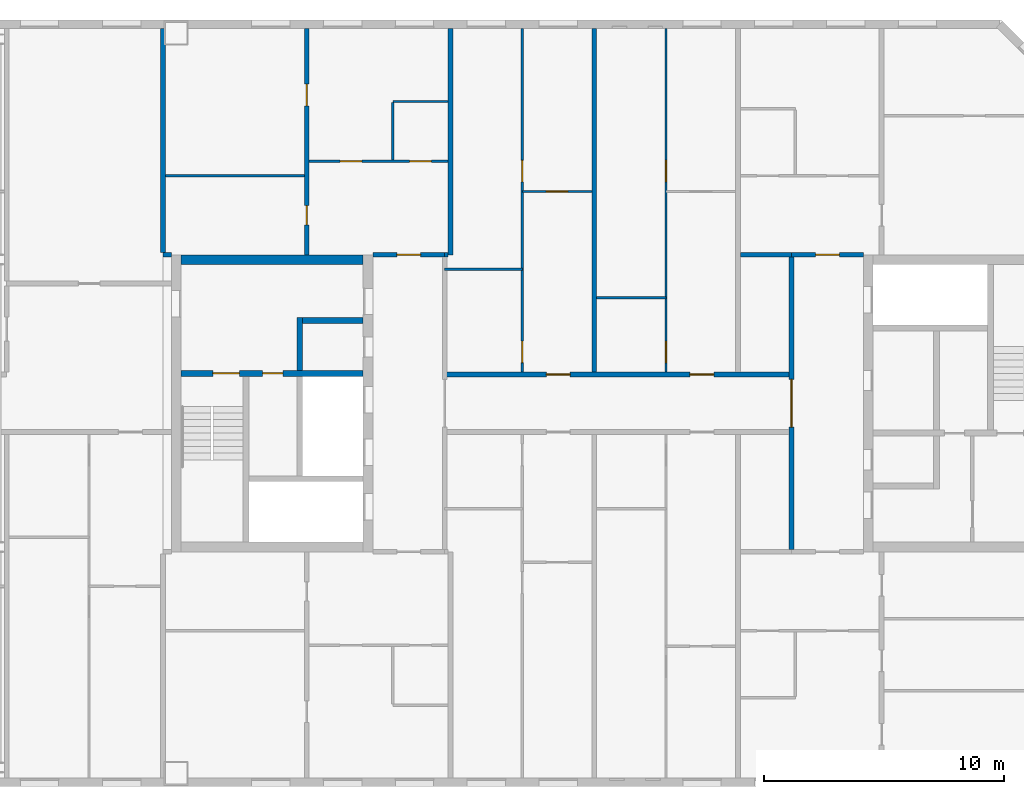
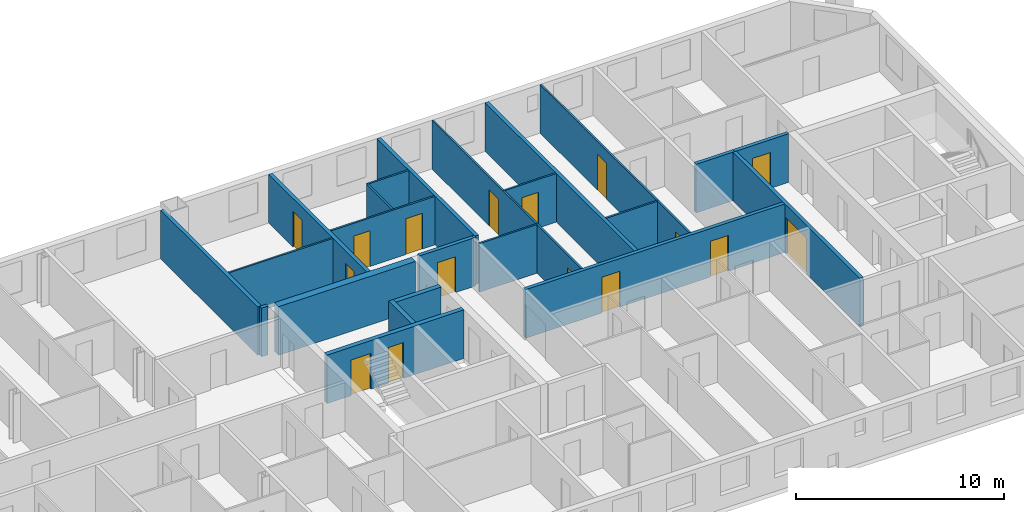
# One storey, part 15 of 19: 24 walls, 16 doors, 16 openings.
"""IFC4 building model written with IfcOpenShell, lengths in metres."""

from ifc_helpers import new_model, si_unit, direction, frame, frame_2d, origin, place, context, subcontext, project, spatial, rectangle, extrude, material, layer, layer_set, type_object, element, fill, save


model = new_model("IFC4")

# Units and contexts
model_context = context("Model", 3, precision=1e-05, world=origin(), true_north=direction((0.0, 1.0)))
body_context = subcontext(model_context, "Body", "Model", "MODEL_VIEW")
ifc_project = project(units=[si_unit("LENGTHUNIT", "METRE"), si_unit("AREAUNIT", "SQUARE_METRE"), si_unit("VOLUMEUNIT", "CUBIC_METRE"), si_unit("PLANEANGLEUNIT", "RADIAN"), si_unit("MASSUNIT", "GRAM", prefix="KILO")], contexts=[model_context])

# Site, building, storey
site_placement = place(None, origin())
site = spatial("IfcSite", under=ifc_project, at=site_placement, CompositionType="ELEMENT")
building_placement = place(site_placement, origin())
building = spatial("IfcBuilding", under=site, at=building_placement, Name="Tuart Gate Housing", CompositionType="ELEMENT")
storey_placement = place(building_placement, frame((0.0, 0.0, 233.800048828125)))
storey = spatial("IfcBuildingStorey", under=building, at=storey_placement, Name="L66", CompositionType="ELEMENT", Elevation=233.800048828125)

# Wall, openings, doors
ifc_material_1 = material(Name="Concrete C40", Category="concrete")
ifc_layer_1 = layer(ifc_material_1, 0.25)
ifc_layer_set_1 = layer_set([ifc_layer_1], Name="Core wall 250 C40")
wall_type_1 = type_object("IfcWallType", Name="Core wall 250 C40", PredefinedType="SHEAR", material=ifc_layer_set_1)
wall_1_placement = place(storey_placement, frame((139.360107421875, 71.25, 0.0), z_axis=(0.0, 0.0, 1.0), x_axis=(-1.0, 0.0, 0.0)))
wall_1 = element("IfcWall", 1, at=wall_1_placement, inside=storey, type_object=wall_type_1, Name="Core wall BG.2", PredefinedType="SHEAR", context=body_context, shape_type="SweptSolid", body=[
    extrude(rectangle(XDim=7.60009765625, YDim=0.25, at=frame_2d((3.800048828125, 0.0))), origin(), (0.0, 0.0, 1.0), 2.849853515625),
])
opening_1_placement = place(wall_1_placement, frame((5.175048828125, 0.0, 0.0)))
opening_1 = element("IfcOpeningElement", 2, at=opening_1_placement, cuts=wall_1, Name="Opening D2574", PredefinedType="OPENING", context=body_context, shape_type="SweptSolid", body=[
    extrude(rectangle(XDim=1.10009765625, YDim=2.10009765625, at=frame_2d((0.550048828125, 1.050048828125))), frame((0.0, 0.135009765625, 0.0), z_axis=(0.0, -1.0, 0.0), x_axis=(1.0, 0.0, 0.0)), (0.0, 0.0, 1.0), 0.27001953125),
])
opening_2_placement = place(wall_1_placement, frame((3.35009765625, 0.0, 0.0)))
opening_2 = element("IfcOpeningElement", 3, at=opening_2_placement, cuts=wall_1, Name="Opening D2573", PredefinedType="OPENING", context=body_context, shape_type="SweptSolid", body=[
    extrude(rectangle(XDim=0.85009765625, YDim=2.10009765625, at=frame_2d((0.425048828125, 1.050048828125))), frame((0.0, 0.135009765625, 0.0), z_axis=(0.0, -1.0, 0.0), x_axis=(1.0, 0.0, 0.0)), (0.0, 0.0, 1.0), 0.27001953125),
])
ifc_material_2 = material(Name="Steel fire door", Category="steel")
door_type_1 = type_object("IfcDoorType", Name="Riser door 850 x 2100", OperationType="SINGLE_SWING_LEFT", PredefinedType="DOOR", material=ifc_material_2)
door_1_placement = place(opening_2_placement, origin())
door_1 = element("IfcDoor", 4, at=door_1_placement, inside=storey, type_object=door_type_1, Name="Service room door BG.W1", OperationType="SINGLE_SWING_LEFT", OverallHeight=2.10009765625, OverallWidth=0.85009765625, PredefinedType="DOOR", context=body_context, shape_type="SweptSolid", body=[
    extrude(rectangle(XDim=0.85009765625, YDim=2.10009765625, at=frame_2d((0.425048828125, 1.050048828125))), frame((0.0, 0.02490234375, 0.0), z_axis=(0.0, -1.0, 0.0), x_axis=(1.0, 0.0, 0.0)), (0.0, 0.0, 1.0), 0.050048828125),
])
fill(opening_2, door_1)
ifc_material_3 = material(Name="Steel fire door", Category="steel")
door_type_2 = type_object("IfcDoorType", Name="Stair door 1100 x 2100", OperationType="SINGLE_SWING_LEFT", PredefinedType="DOOR", material=ifc_material_3)
door_2_placement = place(opening_1_placement, origin())
door_2 = element("IfcDoor", 5, at=door_2_placement, inside=storey, type_object=door_type_2, Name="Stair door BG.SD", OperationType="SINGLE_SWING_LEFT", OverallHeight=2.10009765625, OverallWidth=1.10009765625, PredefinedType="DOOR", context=body_context, shape_type="SweptSolid", body=[
    extrude(rectangle(XDim=1.10009765625, YDim=2.10009765625, at=frame_2d((0.550048828125, 1.050048828125))), frame((0.0, 0.02490234375, 0.0), z_axis=(0.0, -1.0, 0.0), x_axis=(1.0, 0.0, 0.0)), (0.0, 0.0, 1.0), 0.050048828125),
])
fill(opening_1, door_2)

# Walls
wall_2_placement = place(storey_placement, frame((139.360107421875, 73.449951171875, 0.0), z_axis=(0.0, 0.0, 1.0), x_axis=(-1.0, 0.0, 0.0)))
element("IfcWall", 6, at=wall_2_placement, inside=storey, type_object=wall_type_1, Name="Core wall BG.3", PredefinedType="SHEAR", context=body_context, shape_type="SweptSolid", body=[
    extrude(rectangle(XDim=2.525146484375, YDim=0.25, at=frame_2d((1.2626953125, 0.0))), origin(), (0.0, 0.0, 1.0), 2.849853515625),
])
wall_3_placement = place(storey_placement, frame((136.7099609375, 71.375, 0.0), z_axis=(0.0, 0.0, 1.0), x_axis=(0.0, 1.0, 0.0)))
element("IfcWall", 7, at=wall_3_placement, inside=storey, type_object=wall_type_1, Name="Core wall BG.5", PredefinedType="SHEAR", context=body_context, shape_type="SweptSolid", body=[
    extrude(rectangle(XDim=2.199951171875, YDim=0.25, at=frame_2d((1.10009765625, 0.0))), origin(), (0.0, 0.0, 1.0), 2.849853515625),
])
ifc_material_4 = material(Name="Concrete C40", Category="concrete")
ifc_layer_2 = layer(ifc_material_4, 0.39990234375)
ifc_layer_set_2 = layer_set([ifc_layer_2], Name="Core wall 400 C40")
wall_type_2 = type_object("IfcWallType", Name="Core wall 400 C40", PredefinedType="SHEAR", material=ifc_layer_set_2)
wall_4_placement = place(storey_placement, frame((139.360107421875, 76.0, 0.0), z_axis=(0.0, 0.0, 1.0), x_axis=(-1.0, 0.0, 0.0)))
element("IfcWall", 8, at=wall_4_placement, inside=storey, type_object=wall_type_2, Name="Core wall BG north", PredefinedType="SHEAR", context=body_context, shape_type="SweptSolid", body=[
    extrude(rectangle(XDim=7.60009765625, YDim=0.39990234375, at=frame_2d((3.800048828125, 0.0))), origin(), (0.0, 0.0, 1.0), 2.849853515625),
])

# Wall, openings, doors
ifc_material_5 = material(Name="Concrete masonry 15 MPa", Category="masonry")
ifc_layer_3 = layer(ifc_material_5, 0.199951171875)
ifc_layer_set_3 = layer_set([ifc_layer_3], Name="Corridor wall masonry 200")
wall_type_3 = type_object("IfcWallType", Name="Corridor wall masonry 200", PredefinedType="PARTITIONING", material=ifc_layer_set_3)
wall_5_placement = place(storey_placement, frame((142.760009765625, 71.199951171875, 0.0), z_axis=(0.0, 0.0, 1.0), x_axis=(1.0, 0.0, 0.0)))
wall_5 = element("IfcWall", 9, at=wall_5_placement, inside=storey, type_object=wall_type_3, Name="Corridor wall masonry 200", PredefinedType="PARTITIONING", context=body_context, shape_type="SweptSolid", body=[
    extrude(rectangle(XDim=14.47998046875, YDim=0.199951171875, at=frame_2d((7.239990234375, 0.0))), origin(), (0.0, 0.0, 1.0), 2.849853515625),
])
opening_3_placement = place(wall_5_placement, frame((4.239990234375, 0.0, 0.0)))
opening_3 = element("IfcOpeningElement", 10, at=opening_3_placement, cuts=wall_5, Name="Opening D2575", PredefinedType="OPENING", context=body_context, shape_type="SweptSolid", body=[
    extrude(rectangle(XDim=1.0, YDim=2.10009765625, at=frame_2d((0.5, 1.050048828125))), frame((0.0, 0.10986328125, 0.0), z_axis=(0.0, -1.0, 0.0), x_axis=(1.0, 0.0, 0.0)), (0.0, 0.0, 1.0), 0.219970703125),
])
opening_4_placement = place(wall_5_placement, frame((10.239990234375, 0.0, 0.0)))
opening_4 = element("IfcOpeningElement", 11, at=opening_4_placement, cuts=wall_5, Name="Opening D2576", PredefinedType="OPENING", context=body_context, shape_type="SweptSolid", body=[
    extrude(rectangle(XDim=1.0, YDim=2.10009765625, at=frame_2d((0.5, 1.050048828125))), frame((0.0, 0.10986328125, 0.0), z_axis=(0.0, -1.0, 0.0), x_axis=(1.0, 0.0, 0.0)), (0.0, 0.0, 1.0), 0.219970703125),
])
ifc_material_6 = material(Name="Timber door leaf in steel frame", Category="steel")
door_type_3 = type_object("IfcDoorType", Name="Flat entrance door 1000", OperationType="SINGLE_SWING_LEFT", PredefinedType="DOOR", material=ifc_material_6)
door_3_placement = place(opening_3_placement, origin())
door_3 = element("IfcDoor", 12, at=door_3_placement, inside=storey, type_object=door_type_3, Name="Flat entrance door", OperationType="SINGLE_SWING_LEFT", OverallHeight=2.10009765625, OverallWidth=1.0, PredefinedType="DOOR", context=body_context, shape_type="SweptSolid", body=[
    extrude(rectangle(XDim=1.0, YDim=2.10009765625, at=frame_2d((0.5, 1.050048828125))), frame((0.0, 0.02490234375, 0.0), z_axis=(0.0, -1.0, 0.0), x_axis=(1.0, 0.0, 0.0)), (0.0, 0.0, 1.0), 0.050048828125),
])
fill(opening_3, door_3)
door_4_placement = place(opening_4_placement, origin())
door_4 = element("IfcDoor", 13, at=door_4_placement, inside=storey, type_object=door_type_3, Name="Flat entrance door", OperationType="SINGLE_SWING_LEFT", OverallHeight=2.10009765625, OverallWidth=1.0, PredefinedType="DOOR", context=body_context, shape_type="SweptSolid", body=[
    extrude(rectangle(XDim=1.0, YDim=2.10009765625, at=frame_2d((0.5, 1.050048828125))), frame((0.0, 0.02490234375, 0.0), z_axis=(0.0, -1.0, 0.0), x_axis=(1.0, 0.0, 0.0)), (0.0, 0.0, 1.0), 0.050048828125),
])
fill(opening_4, door_4)

# Wall, opening, door
ifc_material_7 = material(Name="Concrete masonry 15 MPa", Category="masonry")
ifc_layer_4 = layer(ifc_material_7, 0.199951171875)
ifc_layer_set_4 = layer_set([ifc_layer_4], Name="Enclosure wall masonry 200")
wall_type_4 = type_object("IfcWallType", Name="Enclosure wall masonry 200", PredefinedType="PARTITIONING", material=ifc_layer_set_4)
wall_6_placement = place(storey_placement, frame((139.760009765625, 76.199951171875, 0.0), z_axis=(0.0, 0.0, 1.0), x_axis=(1.0, 0.0, 0.0)))
wall_6 = element("IfcWall", 14, at=wall_6_placement, inside=storey, type_object=wall_type_4, Name="Enclosure wall masonry 200", PredefinedType="PARTITIONING", context=body_context, shape_type="SweptSolid", body=[
    extrude(rectangle(XDim=3.0, YDim=0.199951171875, at=frame_2d((1.5, 0.0))), origin(), (0.0, 0.0, 1.0), 2.849853515625),
])
opening_5_placement = place(wall_6_placement, frame((1.0, 0.0, 0.0)))
opening_5 = element("IfcOpeningElement", 15, at=opening_5_placement, cuts=wall_6, Name="Opening D2571", PredefinedType="OPENING", context=body_context, shape_type="SweptSolid", body=[
    extrude(rectangle(XDim=1.0, YDim=2.10009765625, at=frame_2d((0.5, 1.050048828125))), frame((0.0, 0.10986328125, 0.0), z_axis=(0.0, -1.0, 0.0), x_axis=(1.0, 0.0, 0.0)), (0.0, 0.0, 1.0), 0.219970703125),
])
ifc_material_8 = material(Name="Timber door leaf in steel frame", Category="steel")
door_type_4 = type_object("IfcDoorType", Name="Flat entrance door 1000 RH", OperationType="SINGLE_SWING_RIGHT", PredefinedType="DOOR", material=ifc_material_8)
door_5_placement = place(opening_5_placement, origin())
door_5 = element("IfcDoor", 16, at=door_5_placement, inside=storey, type_object=door_type_4, Name="Flat entrance door", OperationType="SINGLE_SWING_RIGHT", OverallHeight=2.10009765625, OverallWidth=1.0, PredefinedType="DOOR", context=body_context, shape_type="SweptSolid", body=[
    extrude(rectangle(XDim=1.0, YDim=2.10009765625, at=frame_2d((0.5, 1.050048828125))), frame((0.0, 0.02490234375, 0.0), z_axis=(0.0, -1.0, 0.0), x_axis=(1.0, 0.0, 0.0)), (0.0, 0.0, 1.0), 0.050048828125),
])
fill(opening_5, door_5)

wall_7_placement = place(storey_placement, frame((157.239990234375, 76.199951171875, 0.0), z_axis=(0.0, 0.0, 1.0), x_axis=(1.0, 0.0, 0.0)))
wall_7 = element("IfcWall", 17, at=wall_7_placement, inside=storey, type_object=wall_type_4, Name="Enclosure wall masonry 200", PredefinedType="PARTITIONING", context=body_context, shape_type="SweptSolid", body=[
    extrude(rectangle(XDim=3.0, YDim=0.199951171875, at=frame_2d((1.5, 0.0))), origin(), (0.0, 0.0, 1.0), 2.849853515625),
])
opening_6_placement = place(wall_7_placement, frame((1.0, 0.0, 0.0)))
opening_6 = element("IfcOpeningElement", 18, at=opening_6_placement, cuts=wall_7, Name="Opening D2572", PredefinedType="OPENING", context=body_context, shape_type="SweptSolid", body=[
    extrude(rectangle(XDim=1.0, YDim=2.10009765625, at=frame_2d((0.5, 1.050048828125))), frame((0.0, 0.10986328125, 0.0), z_axis=(0.0, -1.0, 0.0), x_axis=(1.0, 0.0, 0.0)), (0.0, 0.0, 1.0), 0.219970703125),
])
door_6_placement = place(opening_6_placement, origin())
door_6 = element("IfcDoor", 19, at=door_6_placement, inside=storey, type_object=door_type_4, Name="Flat entrance door", OperationType="SINGLE_SWING_RIGHT", OverallHeight=2.10009765625, OverallWidth=1.0, PredefinedType="DOOR", context=body_context, shape_type="SweptSolid", body=[
    extrude(rectangle(XDim=1.0, YDim=2.10009765625, at=frame_2d((0.5, 1.050048828125))), frame((0.0, 0.02490234375, 0.0), z_axis=(0.0, -1.0, 0.0), x_axis=(1.0, 0.0, 0.0)), (0.0, 0.0, 1.0), 0.050048828125),
])
fill(opening_6, door_6)

ifc_material_9 = material(Name="Plasterboard partition")
ifc_layer_5 = layer(ifc_material_9, 0.199951171875)
ifc_layer_set_5 = layer_set([ifc_layer_5], Name="Lobby wall 200")
wall_type_5 = type_object("IfcWallType", Name="Lobby wall 200", PredefinedType="PARTITIONING", material=ifc_layer_set_5)
wall_8_placement = place(storey_placement, frame((157.239990234375, 63.89990234375, 0.0), z_axis=(0.0, 0.0, 1.0), x_axis=(0.0, 1.0, 0.0)))
wall_8 = element("IfcWall", 20, at=wall_8_placement, inside=storey, type_object=wall_type_5, Name="Lift lobby wall BK", PredefinedType="PARTITIONING", context=body_context, shape_type="SweptSolid", body=[
    extrude(rectangle(XDim=12.2001953125, YDim=0.199951171875, at=frame_2d((6.10009765625, 0.0))), origin(), (0.0, 0.0, 1.0), 2.849853515625),
])
opening_7_placement = place(wall_8_placement, frame((5.10009765625, 0.0, 0.0)))
opening_7 = element("IfcOpeningElement", 21, at=opening_7_placement, cuts=wall_8, Name="Opening D2581", PredefinedType="OPENING", context=body_context, shape_type="SweptSolid", body=[
    extrude(rectangle(XDim=2.0, YDim=2.10009765625, at=frame_2d((1.0, 1.050048828125))), frame((0.0, 0.10986328125, 0.0), z_axis=(0.0, -1.0, 0.0), x_axis=(1.0, 0.0, 0.0)), (0.0, 0.0, 1.0), 0.219970703125),
])
ifc_material_10 = material(Name="Steel fire door", Category="steel")
door_type_5 = type_object("IfcDoorType", Name="Smoke door 2000 x 2100", OperationType="DOUBLE_DOOR_SINGLE_SWING", PredefinedType="DOOR", material=ifc_material_10)
door_7_placement = place(opening_7_placement, frame((2.0, 0.0, 0.0), z_axis=(0.0, 0.0, 1.0), x_axis=(-1.0, 0.0, 0.0)))
door_7 = element("IfcDoor", 22, at=door_7_placement, inside=storey, type_object=door_type_5, Name="Lift lobby smoke door BK", OperationType="DOUBLE_DOOR_SINGLE_SWING", OverallHeight=2.10009765625, OverallWidth=2.0, PredefinedType="DOOR", context=body_context, shape_type="SweptSolid", body=[
    extrude(rectangle(XDim=2.0, YDim=2.10009765625, at=frame_2d((1.0, 1.050048828125))), frame((0.0, 0.025146484375, 0.0), z_axis=(0.0, -1.0, 0.0), x_axis=(1.0, 0.0, 0.0)), (0.0, 0.0, 1.0), 0.050048828125),
])
fill(opening_7, door_7)

# Walls
ifc_material_11 = material(Name="Gypsum board on steel studs", Category="steel")
ifc_layer_6 = layer(ifc_material_11, 0.10009765625)
ifc_layer_set_6 = layer_set([ifc_layer_6], Name="Partition 100")
wall_type_6 = type_object("IfcWallType", Name="Partition 100", PredefinedType="PARTITIONING", material=ifc_layer_set_6)
wall_9_placement = place(storey_placement, frame((149.10009765625, 74.39990234375, 0.0), z_axis=(0.0, 0.0, 1.0), x_axis=(1.0, 0.0, 0.0)))
element("IfcWall", 23, at=wall_9_placement, inside=storey, type_object=wall_type_6, Name="Partition 100", PredefinedType="PARTITIONING", context=body_context, shape_type="SweptSolid", body=[
    extrude(rectangle(XDim=2.89990234375, YDim=0.10009765625, at=frame_2d((1.449951171875, 0.0))), origin(), (0.0, 0.0, 1.0), 2.849853515625),
])
wall_10_placement = place(storey_placement, frame((142.760009765625, 75.60009765625, 0.0), z_axis=(0.0, 0.0, 1.0), x_axis=(1.0, 0.0, 0.0)))
element("IfcWall", 24, at=wall_10_placement, inside=storey, type_object=wall_type_6, Name="Partition 100", PredefinedType="PARTITIONING", context=body_context, shape_type="SweptSolid", body=[
    extrude(rectangle(XDim=3.239990234375, YDim=0.10009765625, at=frame_2d((1.6201171875, 0.0))), origin(), (0.0, 0.0, 1.0), 2.849853515625),
])

# Wall, opening, door
wall_11_placement = place(storey_placement, frame((146.0, 78.840087890625, 0.0), z_axis=(0.0, 0.0, 1.0), x_axis=(1.0, 0.0, 0.0)))
wall_11 = element("IfcWall", 25, at=wall_11_placement, inside=storey, type_object=wall_type_6, Name="Partition 100", PredefinedType="PARTITIONING", context=body_context, shape_type="SweptSolid", body=[
    extrude(rectangle(XDim=2.89990234375, YDim=0.10009765625, at=frame_2d((1.449951171875, 0.0))), origin(), (0.0, 0.0, 1.0), 2.849853515625),
])
opening_8_placement = place(wall_11_placement, frame((1.0, 0.0, 0.0)))
opening_8 = element("IfcOpeningElement", 26, at=opening_8_placement, cuts=wall_11, Name="Opening D2565", PredefinedType="OPENING", context=body_context, shape_type="SweptSolid", body=[
    extrude(rectangle(XDim=0.89990234375, YDim=2.10009765625, at=frame_2d((0.449951171875, 1.050048828125))), frame((0.0, 0.06005859375, 0.0), z_axis=(0.0, -1.0, 0.0), x_axis=(1.0, 0.0, 0.0)), (0.0, 0.0, 1.0), 0.1201171875),
])
ifc_material_12 = material(Name="Timber door leaf in steel frame", Category="steel")
door_type_6 = type_object("IfcDoorType", Name="Internal door 900 RH", OperationType="SINGLE_SWING_RIGHT", PredefinedType="DOOR", material=ifc_material_12)
door_8_placement = place(opening_8_placement, frame((0.89990234375, 0.0, 0.0), z_axis=(0.0, 0.0, 1.0), x_axis=(-1.0, 0.0, 0.0)))
door_8 = element("IfcDoor", 27, at=door_8_placement, inside=storey, type_object=door_type_6, Name="Internal door", OperationType="SINGLE_SWING_RIGHT", OverallHeight=2.10009765625, OverallWidth=0.89990234375, PredefinedType="DOOR", context=body_context, shape_type="SweptSolid", body=[
    extrude(rectangle(XDim=0.89990234375, YDim=2.10009765625, at=frame_2d((0.449951171875, 1.050048828125))), frame((0.0, 0.025146484375, 0.0), z_axis=(0.0, -1.0, 0.0), x_axis=(1.0, 0.0, 0.0)), (0.0, 0.0, 1.0), 0.050048828125),
])
fill(opening_8, door_8)

# Wall
wall_12_placement = place(storey_placement, frame((131.10009765625, 79.5, 0.0), z_axis=(0.0, 0.0, 1.0), x_axis=(1.0, 0.0, 0.0)))
element("IfcWall", 28, at=wall_12_placement, inside=storey, type_object=wall_type_6, Name="Partition 100", PredefinedType="PARTITIONING", context=body_context, shape_type="SweptSolid", body=[
    extrude(rectangle(XDim=5.7998046875, YDim=0.10009765625, at=frame_2d((2.89990234375, 0.0))), origin(), (0.0, 0.0, 1.0), 2.849853515625),
])

# Wall, openings, doors
wall_13_placement = place(storey_placement, frame((137.10009765625, 80.10009765625, 0.0), z_axis=(0.0, 0.0, 1.0), x_axis=(1.0, 0.0, 0.0)))
wall_13 = element("IfcWall", 29, at=wall_13_placement, inside=storey, type_object=wall_type_6, Name="Partition 100", PredefinedType="PARTITIONING", context=body_context, shape_type="SweptSolid", body=[
    extrude(rectangle(XDim=5.7998046875, YDim=0.10009765625, at=frame_2d((2.89990234375, 0.0))), origin(), (0.0, 0.0, 1.0), 2.849853515625),
])
opening_9_placement = place(wall_13_placement, frame((1.300048828125, 0.0, 0.0)))
opening_9 = element("IfcOpeningElement", 30, at=opening_9_placement, cuts=wall_13, Name="Opening D2562", PredefinedType="OPENING", context=body_context, shape_type="SweptSolid", body=[
    extrude(rectangle(XDim=0.89990234375, YDim=2.10009765625, at=frame_2d((0.449951171875, 1.050048828125))), frame((0.0, 0.06005859375, 0.0), z_axis=(0.0, -1.0, 0.0), x_axis=(1.0, 0.0, 0.0)), (0.0, 0.0, 1.0), 0.1201171875),
])
opening_10_placement = place(wall_13_placement, frame((4.199951171875, 0.0, 0.0)))
opening_10 = element("IfcOpeningElement", 31, at=opening_10_placement, cuts=wall_13, Name="Opening D2561", PredefinedType="OPENING", context=body_context, shape_type="SweptSolid", body=[
    extrude(rectangle(XDim=0.89990234375, YDim=2.10009765625, at=frame_2d((0.449951171875, 1.050048828125))), frame((0.0, 0.06005859375, 0.0), z_axis=(0.0, -1.0, 0.0), x_axis=(1.0, 0.0, 0.0)), (0.0, 0.0, 1.0), 0.1201171875),
])
ifc_material_13 = material(Name="Timber door leaf in steel frame", Category="steel")
door_type_7 = type_object("IfcDoorType", Name="Bathroom door 900", OperationType="SINGLE_SWING_LEFT", PredefinedType="DOOR", material=ifc_material_13)
door_9_placement = place(opening_10_placement, origin())
door_9 = element("IfcDoor", 32, at=door_9_placement, inside=storey, type_object=door_type_7, Name="Bathroom door", OperationType="SINGLE_SWING_LEFT", OverallHeight=2.10009765625, OverallWidth=0.89990234375, PredefinedType="DOOR", context=body_context, shape_type="SweptSolid", body=[
    extrude(rectangle(XDim=0.89990234375, YDim=2.10009765625, at=frame_2d((0.449951171875, 1.050048828125))), frame((0.0, 0.02490234375, 0.0), z_axis=(0.0, -1.0, 0.0), x_axis=(1.0, 0.0, 0.0)), (0.0, 0.0, 1.0), 0.050048828125),
])
fill(opening_10, door_9)
door_10_placement = place(opening_9_placement, frame((0.89990234375, 0.0, 0.0), z_axis=(0.0, 0.0, 1.0), x_axis=(-1.0, 0.0, 0.0)))
door_10 = element("IfcDoor", 33, at=door_10_placement, inside=storey, type_object=door_type_6, Name="Internal door", OperationType="SINGLE_SWING_RIGHT", OverallHeight=2.10009765625, OverallWidth=0.89990234375, PredefinedType="DOOR", context=body_context, shape_type="SweptSolid", body=[
    extrude(rectangle(XDim=0.89990234375, YDim=2.10009765625, at=frame_2d((0.449951171875, 1.050048828125))), frame((0.0, 0.025146484375, 0.0), z_axis=(0.0, -1.0, 0.0), x_axis=(1.0, 0.0, 0.0)), (0.0, 0.0, 1.0), 0.050048828125),
])
fill(opening_9, door_10)

# Walls
wall_14_placement = place(storey_placement, frame((140.60009765625, 82.60009765625, 0.0), z_axis=(0.0, 0.0, 1.0), x_axis=(1.0, 0.0, 0.0)))
element("IfcWall", 34, at=wall_14_placement, inside=storey, type_object=wall_type_6, Name="Partition 100", PredefinedType="PARTITIONING", context=body_context, shape_type="SweptSolid", body=[
    extrude(rectangle(XDim=2.2998046875, YDim=0.10009765625, at=frame_2d((1.14990234375, 0.0))), origin(), (0.0, 0.0, 1.0), 2.849853515625),
])
wall_15_placement = place(storey_placement, frame((140.60009765625, 80.14990234375, 0.0), z_axis=(0.0, 0.0, 1.0), x_axis=(0.0, 1.0, 0.0)))
element("IfcWall", 35, at=wall_15_placement, inside=storey, type_object=wall_type_6, Name="Partition 100", PredefinedType="PARTITIONING", context=body_context, shape_type="SweptSolid", body=[
    extrude(rectangle(XDim=2.400146484375, YDim=0.10009765625, at=frame_2d((1.2001953125, 0.0))), origin(), (0.0, 0.0, 1.0), 2.849853515625),
])

# Wall, openings, doors
wall_16_placement = place(storey_placement, frame((146.0, 71.300048828125, 0.0), z_axis=(0.0, 0.0, 1.0), x_axis=(0.0, 1.0, 0.0)))
wall_16 = element("IfcWall", 36, at=wall_16_placement, inside=storey, type_object=wall_type_6, Name="Partition 100", PredefinedType="PARTITIONING", context=body_context, shape_type="SweptSolid", body=[
    extrude(rectangle(XDim=14.33984375, YDim=0.10009765625, at=frame_2d((7.169921875, 0.0))), origin(), (0.0, 0.0, 1.0), 2.849853515625),
])
opening_11_placement = place(wall_16_placement, frame((7.93994140625, 0.0, 0.0)))
opening_11 = element("IfcOpeningElement", 37, at=opening_11_placement, cuts=wall_16, Name="Opening D2568", PredefinedType="OPENING", context=body_context, shape_type="SweptSolid", body=[
    extrude(rectangle(XDim=0.89990234375, YDim=2.10009765625, at=frame_2d((0.449951171875, 1.050048828125))), frame((0.0, 0.06005859375, 0.0), z_axis=(0.0, -1.0, 0.0), x_axis=(1.0, 0.0, 0.0)), (0.0, 0.0, 1.0), 0.1201171875),
])
opening_12_placement = place(wall_16_placement, frame((0.39990234375, 0.0, 0.0)))
opening_12 = element("IfcOpeningElement", 38, at=opening_12_placement, cuts=wall_16, Name="Opening D2567", PredefinedType="OPENING", context=body_context, shape_type="SweptSolid", body=[
    extrude(rectangle(XDim=0.89990234375, YDim=2.10009765625, at=frame_2d((0.449951171875, 1.050048828125))), frame((0.0, 0.06005859375, 0.0), z_axis=(0.0, -1.0, 0.0), x_axis=(1.0, 0.0, 0.0)), (0.0, 0.0, 1.0), 0.1201171875),
])
door_11_placement = place(opening_12_placement, origin())
door_11 = element("IfcDoor", 39, at=door_11_placement, inside=storey, type_object=door_type_7, Name="Bathroom door", OperationType="SINGLE_SWING_LEFT", OverallHeight=2.10009765625, OverallWidth=0.89990234375, PredefinedType="DOOR", context=body_context, shape_type="SweptSolid", body=[
    extrude(rectangle(XDim=0.89990234375, YDim=2.10009765625, at=frame_2d((0.449951171875, 1.050048828125))), frame((0.0, 0.02490234375, 0.0), z_axis=(0.0, -1.0, 0.0), x_axis=(1.0, 0.0, 0.0)), (0.0, 0.0, 1.0), 0.050048828125),
])
fill(opening_12, door_11)
ifc_material_14 = material(Name="Timber door leaf in steel frame", Category="steel")
door_type_8 = type_object("IfcDoorType", Name="Internal door 900", OperationType="SINGLE_SWING_LEFT", PredefinedType="DOOR", material=ifc_material_14)
door_12_placement = place(opening_11_placement, origin())
door_12 = element("IfcDoor", 40, at=door_12_placement, inside=storey, type_object=door_type_8, Name="Internal door", OperationType="SINGLE_SWING_LEFT", OverallHeight=2.10009765625, OverallWidth=0.89990234375, PredefinedType="DOOR", context=body_context, shape_type="SweptSolid", body=[
    extrude(rectangle(XDim=0.89990234375, YDim=2.10009765625, at=frame_2d((0.449951171875, 1.050048828125))), frame((0.0, 0.02490234375, 0.0), z_axis=(0.0, -1.0, 0.0), x_axis=(1.0, 0.0, 0.0)), (0.0, 0.0, 1.0), 0.050048828125),
])
fill(opening_11, door_12)

wall_17_placement = place(storey_placement, frame((152.0, 71.300048828125, 0.0), z_axis=(0.0, 0.0, 1.0), x_axis=(0.0, 1.0, 0.0)))
wall_17 = element("IfcWall", 41, at=wall_17_placement, inside=storey, type_object=wall_type_6, Name="Partition 100", PredefinedType="PARTITIONING", context=body_context, shape_type="SweptSolid", body=[
    extrude(rectangle(XDim=14.33984375, YDim=0.10009765625, at=frame_2d((7.169921875, 0.0))), origin(), (0.0, 0.0, 1.0), 2.849853515625),
])
opening_13_placement = place(wall_17_placement, frame((7.93994140625, 0.0, 0.0)))
opening_13 = element("IfcOpeningElement", 42, at=opening_13_placement, cuts=wall_17, Name="Opening D2570", PredefinedType="OPENING", context=body_context, shape_type="SweptSolid", body=[
    extrude(rectangle(XDim=0.89990234375, YDim=2.10009765625, at=frame_2d((0.449951171875, 1.050048828125))), frame((0.0, 0.06005859375, 0.0), z_axis=(0.0, -1.0, 0.0), x_axis=(1.0, 0.0, 0.0)), (0.0, 0.0, 1.0), 0.1201171875),
])
opening_14_placement = place(wall_17_placement, frame((0.39990234375, 0.0, 0.0)))
opening_14 = element("IfcOpeningElement", 43, at=opening_14_placement, cuts=wall_17, Name="Opening D2569", PredefinedType="OPENING", context=body_context, shape_type="SweptSolid", body=[
    extrude(rectangle(XDim=0.89990234375, YDim=2.10009765625, at=frame_2d((0.449951171875, 1.050048828125))), frame((0.0, 0.06005859375, 0.0), z_axis=(0.0, -1.0, 0.0), x_axis=(1.0, 0.0, 0.0)), (0.0, 0.0, 1.0), 0.1201171875),
])
door_13_placement = place(opening_14_placement, origin())
door_13 = element("IfcDoor", 44, at=door_13_placement, inside=storey, type_object=door_type_7, Name="Bathroom door", OperationType="SINGLE_SWING_LEFT", OverallHeight=2.10009765625, OverallWidth=0.89990234375, PredefinedType="DOOR", context=body_context, shape_type="SweptSolid", body=[
    extrude(rectangle(XDim=0.89990234375, YDim=2.10009765625, at=frame_2d((0.449951171875, 1.050048828125))), frame((0.0, 0.02490234375, 0.0), z_axis=(0.0, -1.0, 0.0), x_axis=(1.0, 0.0, 0.0)), (0.0, 0.0, 1.0), 0.050048828125),
])
fill(opening_14, door_13)
door_14_placement = place(opening_13_placement, origin())
door_14 = element("IfcDoor", 45, at=door_14_placement, inside=storey, type_object=door_type_8, Name="Internal door", OperationType="SINGLE_SWING_LEFT", OverallHeight=2.10009765625, OverallWidth=0.89990234375, PredefinedType="DOOR", context=body_context, shape_type="SweptSolid", body=[
    extrude(rectangle(XDim=0.89990234375, YDim=2.10009765625, at=frame_2d((0.449951171875, 1.050048828125))), frame((0.0, 0.02490234375, 0.0), z_axis=(0.0, -1.0, 0.0), x_axis=(1.0, 0.0, 0.0)), (0.0, 0.0, 1.0), 0.050048828125),
])
fill(opening_13, door_14)

ifc_material_15 = material(Name="Concrete C40", Category="concrete")
ifc_layer_7 = layer(ifc_material_15, 0.199951171875)
ifc_layer_set_7 = layer_set([ifc_layer_7], Name="Party wall concrete C40 200")
wall_type_7 = type_object("IfcWallType", Name="Party wall concrete C40 200", PredefinedType="SOLIDWALL", material=ifc_layer_set_7)
wall_18_placement = place(storey_placement, frame((137.0, 76.199951171875, 0.0), z_axis=(0.0, 0.0, 1.0), x_axis=(0.0, 1.0, 0.0)))
wall_18 = element("IfcWall", 46, at=wall_18_placement, inside=storey, type_object=wall_type_7, Name="Party wall concrete C40 200", PredefinedType="SOLIDWALL", context=body_context, shape_type="SweptSolid", body=[
    extrude(rectangle(XDim=9.43994140625, YDim=0.199951171875, at=frame_2d((4.719970703125, 0.0))), origin(), (0.0, 0.0, 1.0), 2.849853515625),
])
opening_15_placement = place(wall_18_placement, frame((6.219970703125, 0.0, 0.0)))
opening_15 = element("IfcOpeningElement", 47, at=opening_15_placement, cuts=wall_18, Name="Opening D2558", PredefinedType="OPENING", context=body_context, shape_type="SweptSolid", body=[
    extrude(rectangle(XDim=0.89990234375, YDim=2.10009765625, at=frame_2d((0.449951171875, 1.050048828125))), frame((0.0, 0.10986328125, 0.0), z_axis=(0.0, -1.0, 0.0), x_axis=(1.0, 0.0, 0.0)), (0.0, 0.0, 1.0), 0.219970703125),
])
opening_16_placement = place(wall_18_placement, frame((1.25, 0.0, 0.0)))
opening_16 = element("IfcOpeningElement", 48, at=opening_16_placement, cuts=wall_18, Name="Opening D2559", PredefinedType="OPENING", context=body_context, shape_type="SweptSolid", body=[
    extrude(rectangle(XDim=0.800048828125, YDim=2.10009765625, at=frame_2d((0.39990234375, 1.050048828125))), frame((0.0, 0.10986328125, 0.0), z_axis=(0.0, -1.0, 0.0), x_axis=(1.0, 0.0, 0.0)), (0.0, 0.0, 1.0), 0.219970703125),
])
door_15_placement = place(opening_15_placement, origin())
door_15 = element("IfcDoor", 49, at=door_15_placement, inside=storey, type_object=door_type_6, Name="Internal door", OperationType="SINGLE_SWING_RIGHT", OverallHeight=2.10009765625, OverallWidth=0.89990234375, PredefinedType="DOOR", context=body_context, shape_type="SweptSolid", body=[
    extrude(rectangle(XDim=0.89990234375, YDim=2.10009765625, at=frame_2d((0.449951171875, 1.050048828125))), frame((0.0, 0.02490234375, 0.0), z_axis=(0.0, -1.0, 0.0), x_axis=(1.0, 0.0, 0.0)), (0.0, 0.0, 1.0), 0.050048828125),
])
fill(opening_15, door_15)
ifc_material_16 = material(Name="Timber door leaf in steel frame", Category="steel")
door_type_9 = type_object("IfcDoorType", Name="Store door 800", OperationType="SINGLE_SWING_LEFT", PredefinedType="DOOR", material=ifc_material_16)
door_16_placement = place(opening_16_placement, origin())
door_16 = element("IfcDoor", 50, at=door_16_placement, inside=storey, type_object=door_type_9, Name="Store door", OperationType="SINGLE_SWING_LEFT", OverallHeight=2.10009765625, OverallWidth=0.800048828125, PredefinedType="DOOR", context=body_context, shape_type="SweptSolid", body=[
    extrude(rectangle(XDim=0.800048828125, YDim=2.10009765625, at=frame_2d((0.39990234375, 1.050048828125))), frame((0.0, 0.02490234375, 0.0), z_axis=(0.0, -1.0, 0.0), x_axis=(1.0, 0.0, 0.0)), (0.0, 0.0, 1.0), 0.050048828125),
])
fill(opening_16, door_16)

# Walls
wall_19_placement = place(storey_placement, frame((143.0, 76.199951171875, 0.0), z_axis=(0.0, 0.0, 1.0), x_axis=(0.0, 1.0, 0.0)))
element("IfcWall", 51, at=wall_19_placement, inside=storey, type_object=wall_type_7, Name="Party wall concrete C40 200", PredefinedType="SOLIDWALL", context=body_context, shape_type="SweptSolid", body=[
    extrude(rectangle(XDim=9.43994140625, YDim=0.199951171875, at=frame_2d((4.719970703125, 0.0))), origin(), (0.0, 0.0, 1.0), 2.849853515625),
])
wall_20_placement = place(storey_placement, frame((149.0, 71.199951171875, 0.0), z_axis=(0.0, 0.0, 1.0), x_axis=(0.0, 1.0, 0.0)))
element("IfcWall", 52, at=wall_20_placement, inside=storey, type_object=wall_type_7, Name="Party wall concrete C40 200", PredefinedType="SOLIDWALL", context=body_context, shape_type="SweptSolid", body=[
    extrude(rectangle(XDim=14.43994140625, YDim=0.199951171875, at=frame_2d((7.219970703125, 0.0))), origin(), (0.0, 0.0, 1.0), 2.849853515625),
])
ifc_material_17 = material(Name="Concrete masonry 15 MPa", Category="masonry")
ifc_layer_8 = layer(ifc_material_17, 0.199951171875)
ifc_layer_set_8 = layer_set([ifc_layer_8], Name="Party wall masonry 200")
wall_type_8 = type_object("IfcWallType", Name="Party wall masonry 200", PredefinedType="PARTITIONING", material=ifc_layer_set_8)
wall_21_placement = place(storey_placement, frame((131.0, 76.199951171875, 0.0), z_axis=(0.0, 0.0, 1.0), x_axis=(1.0, 0.0, 0.0)))
element("IfcWall", 53, at=wall_21_placement, inside=storey, type_object=wall_type_8, Name="Party wall masonry 200", PredefinedType="PARTITIONING", context=body_context, shape_type="SweptSolid", body=[
    extrude(rectangle(XDim=0.360107421875, YDim=0.199951171875, at=frame_2d((0.18017578125, 0.0))), origin(), (0.0, 0.0, 1.0), 2.849853515625),
])
wall_22_placement = place(storey_placement, frame((142.760009765625, 76.199951171875, 0.0), z_axis=(0.0, 0.0, 1.0), x_axis=(1.0, 0.0, 0.0)))
element("IfcWall", 54, at=wall_22_placement, inside=storey, type_object=wall_type_8, Name="Party wall masonry 200", PredefinedType="PARTITIONING", context=body_context, shape_type="SweptSolid", body=[
    extrude(rectangle(XDim=0.139892578125, YDim=0.199951171875, at=frame_2d((0.06982421875, 0.0))), origin(), (0.0, 0.0, 1.0), 2.849853515625),
])
wall_23_placement = place(storey_placement, frame((155.10009765625, 76.199951171875, 0.0), z_axis=(0.0, 0.0, 1.0), x_axis=(1.0, 0.0, 0.0)))
element("IfcWall", 55, at=wall_23_placement, inside=storey, type_object=wall_type_8, Name="Party wall masonry 200", PredefinedType="PARTITIONING", context=body_context, shape_type="SweptSolid", body=[
    extrude(rectangle(XDim=2.139892578125, YDim=0.199951171875, at=frame_2d((1.06982421875, 0.0))), origin(), (0.0, 0.0, 1.0), 2.849853515625),
])
wall_24_placement = place(storey_placement, frame((131.0, 76.300048828125, 0.0), z_axis=(0.0, 0.0, 1.0), x_axis=(0.0, 1.0, 0.0)))
element("IfcWall", 56, at=wall_24_placement, inside=storey, type_object=wall_type_8, Name="Party wall masonry 200", PredefinedType="PARTITIONING", context=body_context, shape_type="SweptSolid", body=[
    extrude(rectangle(XDim=9.33984375, YDim=0.199951171875, at=frame_2d((4.669921875, 0.0))), origin(), (0.0, 0.0, 1.0), 2.849853515625),
])

save(model, "model.ifc")
